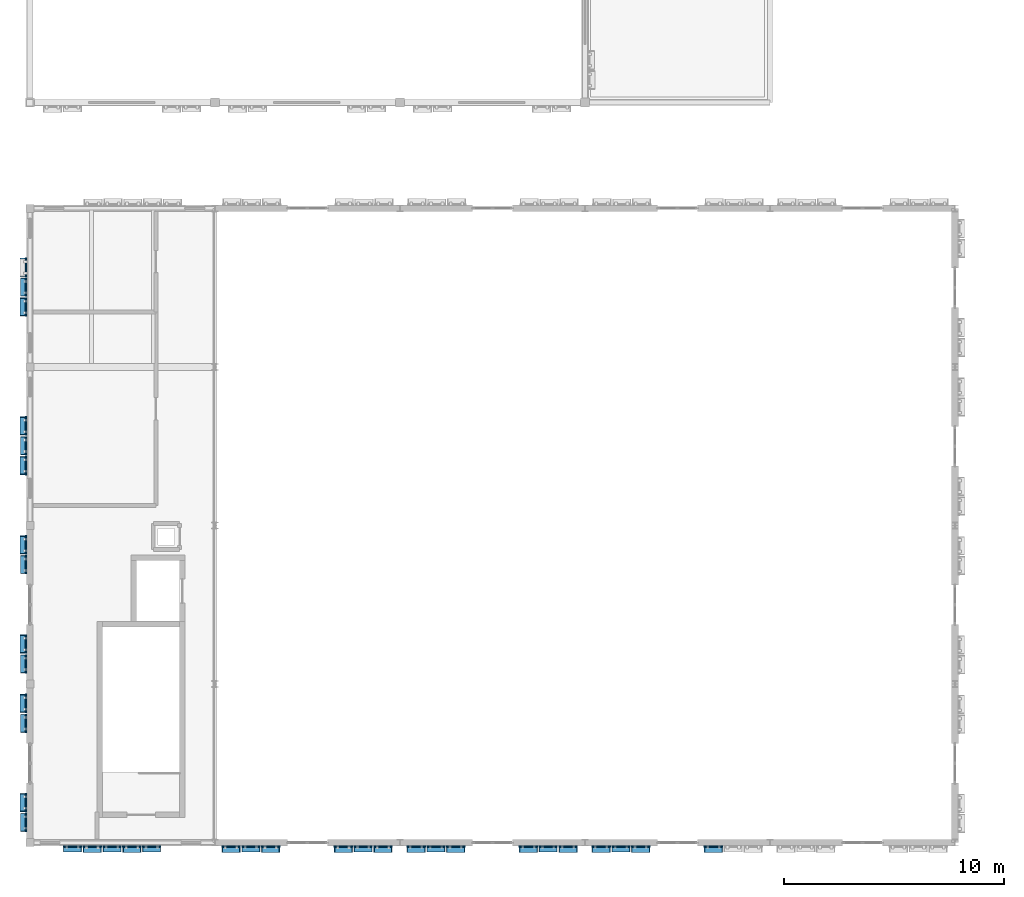
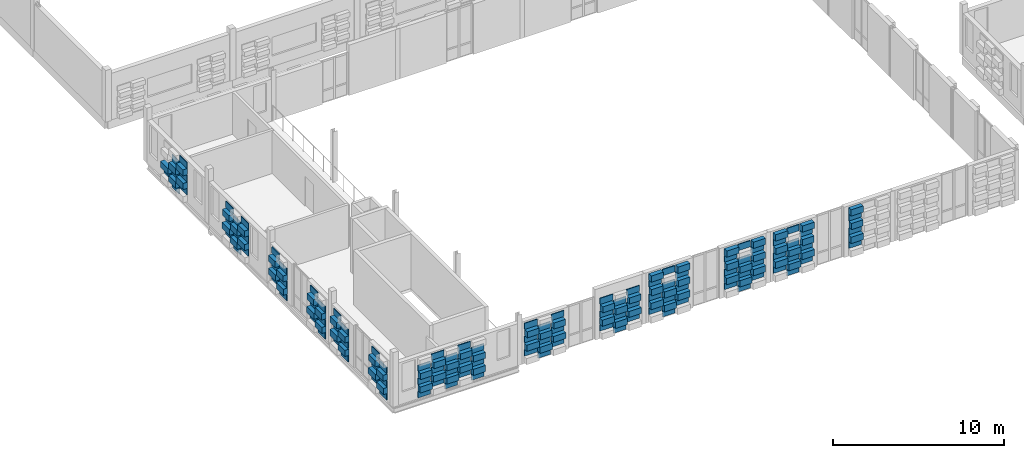
# One storey, part 27 of 57: 182 plates.
"""IFC4 building model written with IfcOpenShell, lengths in metres."""

import ifcopenshell
import ifcopenshell.guid

model = None  # the IFC model being written
_history = None  # IfcOwnerHistory: only IFC2X3 demands one
_inside = {}  # id of a spatial element -> (the spatial element, [elements in it])
_under = {}  # id of a project, library or spatial element -> (it, [spatial elements below it])
_declared = {}  # id of a project -> (the project, [libraries it declares])
_typed = {}  # id of a type object -> (the type object, [elements of that type])
_made_of = {}  # id of a material, layer set ... -> (it, [elements and type objects made of it])


def new_model(schema):
    """Start an empty IFC model of exactly this schema.

    Asked for "IFC4X3", IfcOpenShell would pick the latest addendum, in which some entities
    have other attributes; the version numbers below select the first issue.
    IFC2X3 requires an IfcOwnerHistory on every rooted entity: one is made here for all.
    """
    global model, _history
    if schema == "IFC4X3":
        model = ifcopenshell.file(schema_version=(4, 3, 0, 0))
    else:
        model = ifcopenshell.file(schema=schema)
    _inside.clear()
    _under.clear()
    _declared.clear()
    _typed.clear()
    _made_of.clear()
    _history = None
    if model.schema == "IFC2X3":
        org = make("IfcOrganization", Name="unknown")
        user = make(
            "IfcPersonAndOrganization",
            ThePerson=make("IfcPerson", FamilyName="unknown"),
            TheOrganization=org,
        )
        app = make(
            "IfcApplication",
            ApplicationDeveloper=org,
            Version="unknown",
            ApplicationFullName="unknown",
            ApplicationIdentifier="unknown",
        )
        _history = make(
            "IfcOwnerHistory",
            OwningUser=user,
            OwningApplication=app,
            ChangeAction="ADDED",
            CreationDate=0,
        )
    return model


def make(cls, **values):
    """One entity of the class cls with the attributes given. An attribute that is None is left unset."""
    return model.create_entity(
        cls, **{name: value for name, value in values.items() if value is not None}
    )


def rooted(cls, **values):
    """An entity with a GlobalId (a new one), such as an element, a storey or a relation."""
    return make(cls, GlobalId=ifcopenshell.guid.new(), OwnerHistory=_history, **values)


def si_unit(unit_type, name, prefix=None):
    """IfcSIUnit, for example si_unit("LENGTHUNIT", "METRE", prefix="MILLI")."""
    return make("IfcSIUnit", UnitType=unit_type, Prefix=prefix, Name=name)


def assignment(units):
    """IfcUnitAssignment: the units of a project."""
    return None if units is None else make("IfcUnitAssignment", Units=units)


def point(xyz):
    """IfcCartesianPoint."""
    return None if xyz is None else make("IfcCartesianPoint", Coordinates=xyz)


def direction(xyz):
    """IfcDirection."""
    return None if xyz is None else make("IfcDirection", DirectionRatios=xyz)


def frame(location, z_axis=None, x_axis=None):
    """IfcAxis2Placement3D, a coordinate frame: its origin and axes. An axis left out is left unset."""
    return make(
        "IfcAxis2Placement3D",
        Location=point(location),
        Axis=direction(z_axis),
        RefDirection=direction(x_axis),
    )


def frame_2d(location, x_axis=None):
    """IfcAxis2Placement2D, a coordinate frame in the plane: its origin and x axis."""
    return make(
        "IfcAxis2Placement2D", Location=point(location), RefDirection=direction(x_axis)
    )


def origin():
    """The frame at (0, 0, 0) with its axes left unset."""
    return frame((0.0, 0.0, 0.0))


def origin_2d():
    """The frame at (0, 0) in the plane with its x axis left unset."""
    return frame_2d((0.0, 0.0))


def place(relative_to, where):
    """IfcLocalPlacement: puts the frame where relative to a parent placement (None: the world)."""
    return make(
        "IfcLocalPlacement", PlacementRelTo=relative_to, RelativePlacement=where
    )


def context(
    kind, dimensions, precision=None, world=None, true_north=None, identifier=None
):
    """IfcGeometricRepresentationContext, for example the 3D "Model" context."""
    return make(
        "IfcGeometricRepresentationContext",
        ContextIdentifier=identifier,
        ContextType=kind,
        CoordinateSpaceDimension=dimensions,
        Precision=precision,
        WorldCoordinateSystem=world,
        TrueNorth=true_north,
    )


def subcontext(parent, identifier, kind, view, scale=None):
    """IfcGeometricRepresentationSubContext, for example "Body" below "Model"."""
    return make(
        "IfcGeometricRepresentationSubContext",
        ContextIdentifier=identifier,
        ContextType=kind,
        ParentContext=parent,
        TargetScale=scale,
        TargetView=view,
    )


def project(units=None, contexts=None):
    """IfcProject with its units and contexts."""
    return rooted(
        "IfcProject",
        Name="project",
        RepresentationContexts=contexts,
        UnitsInContext=assignment(units),
    )


def spatial(cls, under=None, at=None, **own):
    """A site, building, storey or space (cls), placed at a placement, below another one or the project."""
    s = rooted(cls, ObjectPlacement=at, **own)
    if under is not None:
        _under.setdefault(under.id(), (under, []))[1].append(s)
    return s


def profile(cls, at=None, kind="AREA", **sizes):
    """A parametric profile (cls). Its sizes go by their IFC names, for example OverallWidth=200.0."""
    return make(cls, ProfileType=kind, Position=at, **sizes)


def rectangle(**sizes):
    """IfcRectangleProfileDef."""
    return profile("IfcRectangleProfileDef", **sizes)


def extrude(swept, where, along, depth):
    """IfcExtrudedAreaSolid: the profile swept, set in the frame where, extruded along a direction by depth."""
    return make(
        "IfcExtrudedAreaSolid",
        SweptArea=swept,
        Position=where,
        ExtrudedDirection=direction(along),
        Depth=depth,
    )


def shape(context_of_items, identifier, shape_type, items):
    """IfcShapeRepresentation: the items that make up one representation, for example the "Body"."""
    return make(
        "IfcShapeRepresentation",
        ContextOfItems=context_of_items,
        RepresentationIdentifier=identifier,
        RepresentationType=shape_type,
        Items=items,
    )


def material(Name=None, Category=None):
    """IfcMaterial."""
    return make("IfcMaterial", Name=Name, Category=Category)


def layer(
    of_material, thickness, ventilated=None, Name=None, Category=None, Priority=None
):
    """IfcMaterialLayer: one layer of a wall or slab, of a material (None: an air gap)."""
    return make(
        "IfcMaterialLayer",
        Material=of_material,
        LayerThickness=thickness,
        IsVentilated=ventilated,
        Name=Name,
        Category=Category,
        Priority=Priority,
    )


def layer_set(layers, Name=None):
    """IfcMaterialLayerSet."""
    return make("IfcMaterialLayerSet", MaterialLayers=layers, LayerSetName=Name)


def made_of(thing, what):
    """Note that an element or type object is made of a material, layer set ...; save() writes the relation."""
    if what is not None:
        _made_of.setdefault(what.id(), (what, []))[1].append(thing)
    return thing


def type_object(cls, material=None, **own):
    """A type object (cls), such as IfcWallType, which elements share."""
    return made_of(rooted(cls, **own), material)


def element(
    cls,
    number,
    at=None,
    inside=None,
    cuts=None,
    type_object=None,
    material=None,
    context=None,
    identifier="Body",
    shape_type=None,
    held_by="IfcProductDefinitionShape",
    body=None,
    shapes=None,
    **own,
):
    """One element of the class cls, such as IfcWall. Its Tag is "e" and its number.

    at: its placement. inside: the storey or other place that contains it. cuts: it is an
    opening in that element (IfcRelVoidsElement). A single representation is given by context,
    identifier, shape_type and body (its items); several are given by shapes. held_by: the class
    of the entity that holds the representations. save() writes the other relations.
    """
    e = rooted(cls, Tag="e%d" % number, ObjectPlacement=at, **own)
    if body is not None:
        shapes = [shape(context, identifier, shape_type, body)]
    if shapes is not None:
        e.Representation = make(held_by, Representations=shapes)
    if inside is not None:
        _inside.setdefault(inside.id(), (inside, []))[1].append(e)
    if cuts is not None:
        rooted(
            "IfcRelVoidsElement", RelatingBuildingElement=cuts, RelatedOpeningElement=e
        )
    if type_object is not None:
        _typed.setdefault(type_object.id(), (type_object, []))[1].append(e)
    return made_of(e, material)


def aggregate(whole, parts):
    """IfcRelAggregates: a whole, such as a stair, and the parts it consists of."""
    return rooted("IfcRelAggregates", RelatingObject=whole, RelatedObjects=parts)


def save(model, path):
    """Write the relations noted so far, then the file.

    IfcRelAggregates (storeys below a building ...), IfcRelContainedInSpatialStructure (elements
    in a storey), IfcRelDefinesByType, IfcRelAssociatesMaterial and IfcRelDeclares: one each for
    every whole, place, type object, material and project.
    """
    for whole, parts in _under.values():
        aggregate(whole, parts)
    for where, things in _inside.values():
        rooted(
            "IfcRelContainedInSpatialStructure",
            RelatedElements=things,
            RelatingStructure=where,
        )
    for kind, things in _typed.values():
        rooted("IfcRelDefinesByType", RelatedObjects=things, RelatingType=kind)
    for what, things in _made_of.values():
        rooted("IfcRelAssociatesMaterial", RelatedObjects=things, RelatingMaterial=what)
    for by, libraries in _declared.values():
        rooted("IfcRelDeclares", RelatingContext=by, RelatedDefinitions=libraries)
    model.write(path)


model = new_model("IFC4")

# Units and contexts
model_context = context("Model", 3, precision=1e-05, world=origin(), true_north=direction((0.0, 1.0)))
body_context = subcontext(model_context, "Body", "Model", "MODEL_VIEW")
ifc_project = project(units=[si_unit("LENGTHUNIT", "METRE"), si_unit("AREAUNIT", "SQUARE_METRE"), si_unit("VOLUMEUNIT", "CUBIC_METRE"), si_unit("PLANEANGLEUNIT", "RADIAN"), si_unit("MASSUNIT", "GRAM", prefix="KILO")], contexts=[model_context])

# Site, building, storey
site_placement = place(None, origin())
site = spatial("IfcSite", under=ifc_project, at=site_placement, CompositionType="ELEMENT")
building_placement = place(site_placement, origin())
building = spatial("IfcBuilding", under=site, at=building_placement, Name="Kahlenmark Community Centre", CompositionType="ELEMENT")
storey_placement = place(building_placement, frame((0.0, 0.0, 13.800048828125)))
storey = spatial("IfcBuildingStorey", under=building, at=storey_placement, Name="L03", CompositionType="ELEMENT", Elevation=13.800048828125)

# Plates
ifc_material_1 = material(Name="Extruded warm terracotta recessed weave tile", Category="masonry")
ifc_layer_1 = layer(ifc_material_1, 0.06005859375)
ifc_layer_set_1 = layer_set([ifc_layer_1], Name="Extruded warm terracotta recessed weave tile")
plate_type_1 = type_object("IfcPlateType", Name="PLT-TC-TC-R10-840X60X435", PredefinedType="SHEET", material=ifc_layer_set_1)
for number, where, z_axis, x_axis, name in (
    (1, (5.929931640625, 8.6201171875, 0.099853515625), (0.0, 0.0, 1.0), (1.0, 0.0, 0.0), "Basketweave terracotta cassette 3376"),
    (2, (5.929931640625, 8.6201171875, 1.0498046875), (0.0, 0.0, 1.0), (1.0, 0.0, 0.0), "Basketweave terracotta cassette 3378"),
    (3, (5.929931640625, 8.6201171875, 2.0), (0.0, 0.0, 1.0), (1.0, 0.0, 0.0), "Basketweave terracotta cassette 3380"),
    (4, (7.72998046875, 8.6201171875, 0.099853515625), (0.0, 0.0, 1.0), (1.0, 0.0, 0.0), "Basketweave terracotta cassette 3388"),
    (5, (7.72998046875, 8.6201171875, 1.0498046875), (0.0, 0.0, 1.0), (1.0, 0.0, 0.0), "Basketweave terracotta cassette 3390"),
    (6, (7.72998046875, 8.6201171875, 2.0), (0.0, 0.0, 1.0), (1.0, 0.0, 0.0), "Basketweave terracotta cassette 3392"),
    (7, (9.530029296875, 8.6201171875, 0.099853515625), (0.0, 0.0, 1.0), (1.0, 0.0, 0.0), "Basketweave terracotta cassette 3400"),
    (8, (9.530029296875, 8.6201171875, 1.0498046875), (0.0, 0.0, 1.0), (1.0, 0.0, 0.0), "Basketweave terracotta cassette 3402"),
    (9, (9.530029296875, 8.6201171875, 2.0), (0.0, 0.0, 1.0), (1.0, 0.0, 0.0), "Basketweave terracotta cassette 3404"),
    (10, (14.030029296875, 8.6201171875, 0.099853515625), (0.0, 0.0, 1.0), (1.0, 0.0, 0.0), "Basketweave terracotta cassette 3412"),
    (11, (14.030029296875, 8.6201171875, 1.0498046875), (0.0, 0.0, 1.0), (1.0, 0.0, 0.0), "Basketweave terracotta cassette 3414"),
    (12, (14.030029296875, 8.6201171875, 2.0), (0.0, 0.0, 1.0), (1.0, 0.0, 0.0), "Basketweave terracotta cassette 3416"),
    (13, (19.1298828125, 8.6201171875, 0.099853515625), (0.0, 0.0, 1.0), (1.0, 0.0, 0.0), "Basketweave terracotta cassette 3430"),
    (14, (19.1298828125, 8.6201171875, 1.0498046875), (0.0, 0.0, 1.0), (1.0, 0.0, 0.0), "Basketweave terracotta cassette 3432"),
    (15, (19.1298828125, 8.6201171875, 2.0), (0.0, 0.0, 1.0), (1.0, 0.0, 0.0), "Basketweave terracotta cassette 3434"),
    (16, (3.820068359375, 14.219970703125, 0.099853515625), (0.0, 0.0, 1.0), (0.0, -1.0, 0.0), "Basketweave terracotta cassette 3766"),
    (17, (3.820068359375, 14.219970703125, 1.0498046875), (0.0, 0.0, 1.0), (0.0, -1.0, 0.0), "Basketweave terracotta cassette 3768"),
    (18, (3.820068359375, 14.219970703125, 2.0), (0.0, 0.0, 1.0), (0.0, -1.0, 0.0), "Basketweave terracotta cassette 3770"),
    (19, (3.820068359375, 9.719970703125, 0.099853515625), (0.0, 0.0, 1.0), (0.0, -1.0, 0.0), "Basketweave terracotta cassette 3778"),
    (20, (3.820068359375, 9.719970703125, 1.0498046875), (0.0, 0.0, 1.0), (0.0, -1.0, 0.0), "Basketweave terracotta cassette 3780"),
    (21, (3.820068359375, 9.719970703125, 2.0), (0.0, 0.0, 1.0), (0.0, -1.0, 0.0), "Basketweave terracotta cassette 3782"),
    (22, (3.820068359375, 21.419921875, 0.099853515625), (0.0, 0.0, 1.0), (0.0, -1.0, 0.0), "Basketweave terracotta cassette 3790"),
    (23, (3.820068359375, 21.419921875, 1.0498046875), (0.0, 0.0, 1.0), (0.0, -1.0, 0.0), "Basketweave terracotta cassette 3792"),
    (24, (3.820068359375, 21.419921875, 2.0), (0.0, 0.0, 1.0), (0.0, -1.0, 0.0), "Basketweave terracotta cassette 3794"),
    (25, (3.820068359375, 16.919921875, 0.099853515625), (0.0, 0.0, 1.0), (0.0, -1.0, 0.0), "Basketweave terracotta cassette 3802"),
    (26, (3.820068359375, 16.919921875, 1.0498046875), (0.0, 0.0, 1.0), (0.0, -1.0, 0.0), "Basketweave terracotta cassette 3804"),
    (27, (3.820068359375, 16.919921875, 2.0), (0.0, 0.0, 1.0), (0.0, -1.0, 0.0), "Basketweave terracotta cassette 3806"),
    (28, (3.820068359375, 26.820068359375, 0.099853515625), (0.0, 0.0, 1.0), (0.0, -1.0, 0.0), "Basketweave terracotta cassette 3814"),
    (29, (3.820068359375, 26.820068359375, 1.0498046875), (0.0, 0.0, 1.0), (0.0, -1.0, 0.0), "Basketweave terracotta cassette 3816"),
    (30, (3.820068359375, 26.820068359375, 2.0), (0.0, 0.0, 1.0), (0.0, -1.0, 0.0), "Basketweave terracotta cassette 3818"),
    (31, (3.820068359375, 34.02001953125, 0.099853515625), (0.0, 0.0, 1.0), (0.0, -1.0, 0.0), "Basketweave terracotta cassette 3832"),
    (32, (3.820068359375, 34.02001953125, 1.0498046875), (0.0, 0.0, 1.0), (0.0, -1.0, 0.0), "Basketweave terracotta cassette 3834"),
    (33, (3.820068359375, 34.02001953125, 2.0), (0.0, 0.0, 1.0), (0.0, -1.0, 0.0), "Basketweave terracotta cassette 3836"),
):
    element("IfcPlate", number, at=place(storey_placement, frame(where, z_axis=z_axis, x_axis=x_axis)), inside=storey, type_object=plate_type_1, Name=name, PredefinedType="SHEET", context=body_context, shape_type="SweptSolid", body=[
        extrude(rectangle(XDim=0.840087890625, YDim=0.06005859375, at=origin_2d()), origin(), (0.0, 0.0, 1.0), 0.43505859375),
    ])
ifc_layer_2 = layer(ifc_material_1, 0.06005859375)
ifc_layer_set_2 = layer_set([ifc_layer_2], Name="Extruded warm terracotta recessed weave tile")
plate_type_2 = type_object("IfcPlateType", Name="PLT-TC-TC-R10-840X60X450", PredefinedType="SHEET", material=ifc_layer_set_2)
for number, where, z_axis, x_axis, name in (
    (34, (22.429931640625, 8.6201171875, 0.10009765625), (0.0, 0.0, 1.0), (1.0, 0.0, 0.0), "Basketweave terracotta cassette 3449"),
    (35, (22.429931640625, 8.6201171875, 1.080078125), (0.0, 0.0, 1.0), (1.0, 0.0, 0.0), "Basketweave terracotta cassette 3451"),
    (36, (22.429931640625, 8.6201171875, 2.06005859375), (0.0, 0.0, 1.0), (1.0, 0.0, 0.0), "Basketweave terracotta cassette 3453"),
    (37, (22.429931640625, 8.6201171875, 3.0400390625), (0.0, 0.0, 1.0), (1.0, 0.0, 0.0), "Basketweave terracotta cassette 3455"),
    (38, (27.530029296875, 8.6201171875, 0.10009765625), (0.0, 0.0, 1.0), (1.0, 0.0, 0.0), "Basketweave terracotta cassette 3470"),
    (39, (27.530029296875, 8.6201171875, 1.080078125), (0.0, 0.0, 1.0), (1.0, 0.0, 0.0), "Basketweave terracotta cassette 3472"),
    (40, (27.530029296875, 8.6201171875, 2.06005859375), (0.0, 0.0, 1.0), (1.0, 0.0, 0.0), "Basketweave terracotta cassette 3474"),
    (41, (27.530029296875, 8.6201171875, 3.0400390625), (0.0, 0.0, 1.0), (1.0, 0.0, 0.0), "Basketweave terracotta cassette 3476"),
    (42, (30.830078125, 8.6201171875, 0.10009765625), (0.0, 0.0, 1.0), (1.0, 0.0, 0.0), "Basketweave terracotta cassette 3491"),
    (43, (30.830078125, 8.6201171875, 1.080078125), (0.0, 0.0, 1.0), (1.0, 0.0, 0.0), "Basketweave terracotta cassette 3493"),
    (44, (30.830078125, 8.6201171875, 2.06005859375), (0.0, 0.0, 1.0), (1.0, 0.0, 0.0), "Basketweave terracotta cassette 3495"),
    (45, (30.830078125, 8.6201171875, 3.0400390625), (0.0, 0.0, 1.0), (1.0, 0.0, 0.0), "Basketweave terracotta cassette 3497"),
):
    element("IfcPlate", number, at=place(storey_placement, frame(where, z_axis=z_axis, x_axis=x_axis)), inside=storey, type_object=plate_type_2, Name=name, PredefinedType="SHEET", context=body_context, shape_type="SweptSolid", body=[
        extrude(rectangle(XDim=0.840087890625, YDim=0.06005859375, at=origin_2d()), origin(), (0.0, 0.0, 1.0), 0.449951171875),
    ])
ifc_layer_3 = layer(ifc_material_1, 0.06005859375)
ifc_layer_set_3 = layer_set([ifc_layer_3], Name="Extruded warm terracotta recessed weave tile")
plate_type_3 = type_object("IfcPlateType", Name="PLT-TC-TC-R10-860X60X435", PredefinedType="SHEET", material=ifc_layer_set_3)
for number, where, z_axis, x_axis, name in (
    (46, (6.830078125, 8.6201171875, 0.574951171875), (0.0, 0.0, 1.0), (1.0, 0.0, 0.0), "Basketweave terracotta cassette 3383"),
    (47, (6.830078125, 8.6201171875, 1.52490234375), (0.0, 0.0, 1.0), (1.0, 0.0, 0.0), "Basketweave terracotta cassette 3385"),
    (48, (6.830078125, 8.6201171875, 2.474853515625), (0.0, 0.0, 1.0), (1.0, 0.0, 0.0), "Basketweave terracotta cassette 3387"),
    (49, (8.6298828125, 8.6201171875, 0.574951171875), (0.0, 0.0, 1.0), (1.0, 0.0, 0.0), "Basketweave terracotta cassette 3395"),
    (50, (8.6298828125, 8.6201171875, 1.52490234375), (0.0, 0.0, 1.0), (1.0, 0.0, 0.0), "Basketweave terracotta cassette 3397"),
    (51, (8.6298828125, 8.6201171875, 2.474853515625), (0.0, 0.0, 1.0), (1.0, 0.0, 0.0), "Basketweave terracotta cassette 3399"),
    (52, (13.1298828125, 8.6201171875, 0.574951171875), (0.0, 0.0, 1.0), (1.0, 0.0, 0.0), "Basketweave terracotta cassette 3407"),
    (53, (13.1298828125, 8.6201171875, 1.52490234375), (0.0, 0.0, 1.0), (1.0, 0.0, 0.0), "Basketweave terracotta cassette 3409"),
    (54, (13.1298828125, 8.6201171875, 2.474853515625), (0.0, 0.0, 1.0), (1.0, 0.0, 0.0), "Basketweave terracotta cassette 3411"),
    (55, (14.929931640625, 8.6201171875, 0.574951171875), (0.0, 0.0, 1.0), (1.0, 0.0, 0.0), "Basketweave terracotta cassette 3419"),
    (56, (14.929931640625, 8.6201171875, 1.52490234375), (0.0, 0.0, 1.0), (1.0, 0.0, 0.0), "Basketweave terracotta cassette 3421"),
    (57, (14.929931640625, 8.6201171875, 2.474853515625), (0.0, 0.0, 1.0), (1.0, 0.0, 0.0), "Basketweave terracotta cassette 3423"),
    (58, (18.22998046875, 8.6201171875, 0.574951171875), (0.0, 0.0, 1.0), (1.0, 0.0, 0.0), "Basketweave terracotta cassette 3425"),
    (59, (18.22998046875, 8.6201171875, 1.52490234375), (0.0, 0.0, 1.0), (1.0, 0.0, 0.0), "Basketweave terracotta cassette 3427"),
    (60, (18.22998046875, 8.6201171875, 2.474853515625), (0.0, 0.0, 1.0), (1.0, 0.0, 0.0), "Basketweave terracotta cassette 3429"),
    (61, (20.030029296875, 8.6201171875, 0.574951171875), (0.0, 0.0, 1.0), (1.0, 0.0, 0.0), "Basketweave terracotta cassette 3437"),
    (62, (20.030029296875, 8.6201171875, 1.52490234375), (0.0, 0.0, 1.0), (1.0, 0.0, 0.0), "Basketweave terracotta cassette 3439"),
    (63, (20.030029296875, 8.6201171875, 2.474853515625), (0.0, 0.0, 1.0), (1.0, 0.0, 0.0), "Basketweave terracotta cassette 3441"),
    (64, (3.820068359375, 15.1201171875, 0.574951171875), (0.0, 0.0, 1.0), (0.0, -1.0, 0.0), "Basketweave terracotta cassette 3761"),
    (65, (3.820068359375, 15.1201171875, 1.52490234375), (0.0, 0.0, 1.0), (0.0, -1.0, 0.0), "Basketweave terracotta cassette 3763"),
    (66, (3.820068359375, 15.1201171875, 2.474853515625), (0.0, 0.0, 1.0), (0.0, -1.0, 0.0), "Basketweave terracotta cassette 3765"),
    (67, (3.820068359375, 10.6201171875, 0.574951171875), (0.0, 0.0, 1.0), (0.0, -1.0, 0.0), "Basketweave terracotta cassette 3773"),
    (68, (3.820068359375, 10.6201171875, 1.52490234375), (0.0, 0.0, 1.0), (0.0, -1.0, 0.0), "Basketweave terracotta cassette 3775"),
    (69, (3.820068359375, 10.6201171875, 2.474853515625), (0.0, 0.0, 1.0), (0.0, -1.0, 0.0), "Basketweave terracotta cassette 3777"),
    (70, (3.820068359375, 22.320068359375, 0.574951171875), (0.0, 0.0, 1.0), (0.0, -1.0, 0.0), "Basketweave terracotta cassette 3785"),
    (71, (3.820068359375, 22.320068359375, 1.52490234375), (0.0, 0.0, 1.0), (0.0, -1.0, 0.0), "Basketweave terracotta cassette 3787"),
    (72, (3.820068359375, 22.320068359375, 2.474853515625), (0.0, 0.0, 1.0), (0.0, -1.0, 0.0), "Basketweave terracotta cassette 3789"),
    (73, (3.820068359375, 17.820068359375, 0.574951171875), (0.0, 0.0, 1.0), (0.0, -1.0, 0.0), "Basketweave terracotta cassette 3797"),
    (74, (3.820068359375, 17.820068359375, 1.52490234375), (0.0, 0.0, 1.0), (0.0, -1.0, 0.0), "Basketweave terracotta cassette 3799"),
    (75, (3.820068359375, 17.820068359375, 2.474853515625), (0.0, 0.0, 1.0), (0.0, -1.0, 0.0), "Basketweave terracotta cassette 3801"),
    (76, (3.820068359375, 27.719970703125, 0.574951171875), (0.0, 0.0, 1.0), (0.0, -1.0, 0.0), "Basketweave terracotta cassette 3809"),
    (77, (3.820068359375, 27.719970703125, 1.52490234375), (0.0, 0.0, 1.0), (0.0, -1.0, 0.0), "Basketweave terracotta cassette 3811"),
    (78, (3.820068359375, 27.719970703125, 2.474853515625), (0.0, 0.0, 1.0), (0.0, -1.0, 0.0), "Basketweave terracotta cassette 3813"),
    (79, (3.820068359375, 25.919921875, 0.574951171875), (0.0, 0.0, 1.0), (0.0, -1.0, 0.0), "Basketweave terracotta cassette 3821"),
    (80, (3.820068359375, 25.919921875, 1.52490234375), (0.0, 0.0, 1.0), (0.0, -1.0, 0.0), "Basketweave terracotta cassette 3823"),
    (81, (3.820068359375, 25.919921875, 2.474853515625), (0.0, 0.0, 1.0), (0.0, -1.0, 0.0), "Basketweave terracotta cassette 3825"),
    (82, (3.820068359375, 34.919921875, 0.574951171875), (0.0, 0.0, 1.0), (0.0, -1.0, 0.0), "Basketweave terracotta cassette 3827"),
    (83, (3.820068359375, 33.1201171875, 0.574951171875), (0.0, 0.0, 1.0), (0.0, -1.0, 0.0), "Basketweave terracotta cassette 3839"),
    (84, (3.820068359375, 33.1201171875, 1.52490234375), (0.0, 0.0, 1.0), (0.0, -1.0, 0.0), "Basketweave terracotta cassette 3841"),
    (85, (3.820068359375, 33.1201171875, 2.474853515625), (0.0, 0.0, 1.0), (0.0, -1.0, 0.0), "Basketweave terracotta cassette 3843"),
):
    element("IfcPlate", number, at=place(storey_placement, frame(where, z_axis=z_axis, x_axis=x_axis)), inside=storey, type_object=plate_type_3, Name=name, PredefinedType="SHEET", context=body_context, shape_type="SweptSolid", body=[
        extrude(rectangle(XDim=0.860107421875, YDim=0.06005859375, at=origin_2d()), origin(), (0.0, 0.0, 1.0), 0.43505859375),
    ])
ifc_layer_4 = layer(ifc_material_1, 0.06005859375)
ifc_layer_set_4 = layer_set([ifc_layer_4], Name="Extruded warm terracotta recessed weave tile")
plate_type_4 = type_object("IfcPlateType", Name="PLT-TC-TC-R10-860X60X450", PredefinedType="SHEET", material=ifc_layer_set_4)
for number, where, z_axis, x_axis, name in (
    (86, (21.530029296875, 8.6201171875, 0.58984375), (0.0, 0.0, 1.0), (1.0, 0.0, 0.0), "Basketweave terracotta cassette 3443"),
    (87, (21.530029296875, 8.6201171875, 1.56982421875), (0.0, 0.0, 1.0), (1.0, 0.0, 0.0), "Basketweave terracotta cassette 3445"),
    (88, (21.530029296875, 8.6201171875, 2.5498046875), (0.0, 0.0, 1.0), (1.0, 0.0, 0.0), "Basketweave terracotta cassette 3447"),
    (89, (23.330078125, 8.6201171875, 0.58984375), (0.0, 0.0, 1.0), (1.0, 0.0, 0.0), "Basketweave terracotta cassette 3457"),
    (90, (23.330078125, 8.6201171875, 1.56982421875), (0.0, 0.0, 1.0), (1.0, 0.0, 0.0), "Basketweave terracotta cassette 3459"),
    (91, (23.330078125, 8.6201171875, 2.5498046875), (0.0, 0.0, 1.0), (1.0, 0.0, 0.0), "Basketweave terracotta cassette 3461"),
    (92, (26.6298828125, 8.6201171875, 0.58984375), (0.0, 0.0, 1.0), (1.0, 0.0, 0.0), "Basketweave terracotta cassette 3464"),
    (93, (26.6298828125, 8.6201171875, 1.56982421875), (0.0, 0.0, 1.0), (1.0, 0.0, 0.0), "Basketweave terracotta cassette 3466"),
    (94, (26.6298828125, 8.6201171875, 2.5498046875), (0.0, 0.0, 1.0), (1.0, 0.0, 0.0), "Basketweave terracotta cassette 3468"),
    (95, (28.429931640625, 8.6201171875, 0.58984375), (0.0, 0.0, 1.0), (1.0, 0.0, 0.0), "Basketweave terracotta cassette 3478"),
    (96, (28.429931640625, 8.6201171875, 1.56982421875), (0.0, 0.0, 1.0), (1.0, 0.0, 0.0), "Basketweave terracotta cassette 3480"),
    (97, (28.429931640625, 8.6201171875, 2.5498046875), (0.0, 0.0, 1.0), (1.0, 0.0, 0.0), "Basketweave terracotta cassette 3482"),
    (98, (29.929931640625, 8.6201171875, 0.58984375), (0.0, 0.0, 1.0), (1.0, 0.0, 0.0), "Basketweave terracotta cassette 3485"),
    (99, (29.929931640625, 8.6201171875, 1.56982421875), (0.0, 0.0, 1.0), (1.0, 0.0, 0.0), "Basketweave terracotta cassette 3487"),
    (100, (29.929931640625, 8.6201171875, 2.5498046875), (0.0, 0.0, 1.0), (1.0, 0.0, 0.0), "Basketweave terracotta cassette 3489"),
    (101, (31.72998046875, 8.6201171875, 0.58984375), (0.0, 0.0, 1.0), (1.0, 0.0, 0.0), "Basketweave terracotta cassette 3499"),
    (102, (31.72998046875, 8.6201171875, 1.56982421875), (0.0, 0.0, 1.0), (1.0, 0.0, 0.0), "Basketweave terracotta cassette 3501"),
    (103, (31.72998046875, 8.6201171875, 2.5498046875), (0.0, 0.0, 1.0), (1.0, 0.0, 0.0), "Basketweave terracotta cassette 3503"),
    (104, (35.030029296875, 8.6201171875, 0.58984375), (0.0, 0.0, 1.0), (1.0, 0.0, 0.0), "Basketweave terracotta cassette 3506"),
    (105, (35.030029296875, 8.6201171875, 1.56982421875), (0.0, 0.0, 1.0), (1.0, 0.0, 0.0), "Basketweave terracotta cassette 3508"),
    (106, (35.030029296875, 8.6201171875, 2.5498046875), (0.0, 0.0, 1.0), (1.0, 0.0, 0.0), "Basketweave terracotta cassette 3510"),
):
    element("IfcPlate", number, at=place(storey_placement, frame(where, z_axis=z_axis, x_axis=x_axis)), inside=storey, type_object=plate_type_4, Name=name, PredefinedType="SHEET", context=body_context, shape_type="SweptSolid", body=[
        extrude(rectangle(XDim=0.860107421875, YDim=0.06005859375, at=origin_2d()), origin(), (0.0, 0.0, 1.0), 0.449951171875),
    ])
ifc_material_2 = material(Name="Extruded glazed terracotta weave cassette", Category="masonry")
ifc_layer_5 = layer(ifc_material_2, 0.300048828125)
ifc_layer_set_5 = layer_set([ifc_layer_5], Name="Extruded glazed terracotta weave cassette")
plate_type_5 = type_object("IfcPlateType", Name="PLT-TC-TC-R34-780X300X435", PredefinedType="SHEET", material=ifc_layer_set_5)
for number, where, z_axis, x_axis, name in (
    (107, (6.830078125, 8.5, 2.0), (0.0, 0.0, 1.0), (1.0, 0.0, 0.0), "Basketweave terracotta cassette 3386"),
    (108, (8.6298828125, 8.5, 2.0), (0.0, 0.0, 1.0), (1.0, 0.0, 0.0), "Basketweave terracotta cassette 3398"),
    (109, (13.1298828125, 8.5, 2.0), (0.0, 0.0, 1.0), (1.0, 0.0, 0.0), "Basketweave terracotta cassette 3410"),
    (110, (14.929931640625, 8.5, 2.0), (0.0, 0.0, 1.0), (1.0, 0.0, 0.0), "Basketweave terracotta cassette 3422"),
    (111, (18.22998046875, 8.5, 2.0), (0.0, 0.0, 1.0), (1.0, 0.0, 0.0), "Basketweave terracotta cassette 3428"),
    (112, (20.030029296875, 8.5, 2.0), (0.0, 0.0, 1.0), (1.0, 0.0, 0.0), "Basketweave terracotta cassette 3440"),
    (113, (3.699951171875, 15.1201171875, 2.0), (0.0, 0.0, 1.0), (0.0, -1.0, 0.0), "Basketweave terracotta cassette 3764"),
    (114, (3.699951171875, 10.6201171875, 2.0), (0.0, 0.0, 1.0), (0.0, -1.0, 0.0), "Basketweave terracotta cassette 3776"),
    (115, (3.699951171875, 22.320068359375, 2.0), (0.0, 0.0, 1.0), (0.0, -1.0, 0.0), "Basketweave terracotta cassette 3788"),
    (116, (3.699951171875, 17.820068359375, 2.0), (0.0, 0.0, 1.0), (0.0, -1.0, 0.0), "Basketweave terracotta cassette 3800"),
    (117, (3.699951171875, 27.719970703125, 2.0), (0.0, 0.0, 1.0), (0.0, -1.0, 0.0), "Basketweave terracotta cassette 3812"),
    (118, (3.699951171875, 25.919921875, 2.0), (0.0, 0.0, 1.0), (0.0, -1.0, 0.0), "Basketweave terracotta cassette 3824"),
    (119, (3.699951171875, 33.1201171875, 2.0), (0.0, 0.0, 1.0), (0.0, -1.0, 0.0), "Basketweave terracotta cassette 3842"),
):
    element("IfcPlate", number, at=place(storey_placement, frame(where, z_axis=z_axis, x_axis=x_axis)), inside=storey, type_object=plate_type_5, Name=name, PredefinedType="SHEET", context=body_context, shape_type="SweptSolid", body=[
        extrude(rectangle(XDim=0.780029296875, YDim=0.300048828125, at=origin_2d()), origin(), (0.0, 0.0, 1.0), 0.43505859375),
    ])
ifc_layer_6 = layer(ifc_material_2, 0.300048828125)
ifc_layer_set_6 = layer_set([ifc_layer_6], Name="Extruded glazed terracotta weave cassette")
plate_type_6 = type_object("IfcPlateType", Name="PLT-TC-TC-R34-780X300X450", PredefinedType="SHEET", material=ifc_layer_set_6)
for number, where, z_axis, x_axis, name in (
    (120, (21.530029296875, 8.5, 2.06005859375), (0.0, 0.0, 1.0), (1.0, 0.0, 0.0), "Basketweave terracotta cassette 3446"),
    (121, (23.330078125, 8.5, 2.06005859375), (0.0, 0.0, 1.0), (1.0, 0.0, 0.0), "Basketweave terracotta cassette 3460"),
    (122, (26.6298828125, 8.5, 2.06005859375), (0.0, 0.0, 1.0), (1.0, 0.0, 0.0), "Basketweave terracotta cassette 3467"),
    (123, (28.429931640625, 8.5, 2.06005859375), (0.0, 0.0, 1.0), (1.0, 0.0, 0.0), "Basketweave terracotta cassette 3481"),
    (124, (29.929931640625, 8.5, 2.06005859375), (0.0, 0.0, 1.0), (1.0, 0.0, 0.0), "Basketweave terracotta cassette 3488"),
    (125, (31.72998046875, 8.5, 2.06005859375), (0.0, 0.0, 1.0), (1.0, 0.0, 0.0), "Basketweave terracotta cassette 3502"),
    (126, (35.030029296875, 8.5, 2.06005859375), (0.0, 0.0, 1.0), (1.0, 0.0, 0.0), "Basketweave terracotta cassette 3509"),
):
    element("IfcPlate", number, at=place(storey_placement, frame(where, z_axis=z_axis, x_axis=x_axis)), inside=storey, type_object=plate_type_6, Name=name, PredefinedType="SHEET", context=body_context, shape_type="SweptSolid", body=[
        extrude(rectangle(XDim=0.780029296875, YDim=0.300048828125, at=origin_2d()), origin(), (0.0, 0.0, 1.0), 0.449951171875),
    ])
ifc_layer_7 = layer(ifc_material_2, 0.300048828125)
ifc_layer_set_7 = layer_set([ifc_layer_7], Name="Extruded glazed terracotta weave cassette")
plate_type_7 = type_object("IfcPlateType", Name="PLT-TC-TC-R34-820X300X450", PredefinedType="SHEET", material=ifc_layer_set_7)
for number, where, z_axis, x_axis, name in (
    (127, (21.530029296875, 8.5, 3.0400390625), (0.0, 0.0, 1.0), (1.0, 0.0, 0.0), "Basketweave terracotta cassette 3448"),
    (128, (23.330078125, 8.5, 3.0400390625), (0.0, 0.0, 1.0), (1.0, 0.0, 0.0), "Basketweave terracotta cassette 3462"),
    (129, (26.6298828125, 8.5, 3.0400390625), (0.0, 0.0, 1.0), (1.0, 0.0, 0.0), "Basketweave terracotta cassette 3469"),
    (130, (28.429931640625, 8.5, 3.0400390625), (0.0, 0.0, 1.0), (1.0, 0.0, 0.0), "Basketweave terracotta cassette 3483"),
    (131, (29.929931640625, 8.5, 3.0400390625), (0.0, 0.0, 1.0), (1.0, 0.0, 0.0), "Basketweave terracotta cassette 3490"),
    (132, (31.72998046875, 8.5, 3.0400390625), (0.0, 0.0, 1.0), (1.0, 0.0, 0.0), "Basketweave terracotta cassette 3504"),
    (133, (35.030029296875, 8.5, 3.0400390625), (0.0, 0.0, 1.0), (1.0, 0.0, 0.0), "Basketweave terracotta cassette 3511"),
):
    element("IfcPlate", number, at=place(storey_placement, frame(where, z_axis=z_axis, x_axis=x_axis)), inside=storey, type_object=plate_type_7, Name=name, PredefinedType="SHEET", context=body_context, shape_type="SweptSolid", body=[
        extrude(rectangle(XDim=0.820068359375, YDim=0.300048828125, at=origin_2d()), origin(), (0.0, 0.0, 1.0), 0.449951171875),
    ])
ifc_layer_8 = layer(ifc_material_2, 0.300048828125)
ifc_layer_set_8 = layer_set([ifc_layer_8], Name="Extruded glazed terracotta weave cassette")
plate_type_8 = type_object("IfcPlateType", Name="PLT-TC-TC-R34-840X300X435", PredefinedType="SHEET", material=ifc_layer_set_8)
for number, where, z_axis, x_axis, name in (
    (134, (6.830078125, 8.5, 1.0498046875), (0.0, 0.0, 1.0), (1.0, 0.0, 0.0), "Basketweave terracotta cassette 3384"),
    (135, (8.6298828125, 8.5, 1.0498046875), (0.0, 0.0, 1.0), (1.0, 0.0, 0.0), "Basketweave terracotta cassette 3396"),
    (136, (13.1298828125, 8.5, 1.0498046875), (0.0, 0.0, 1.0), (1.0, 0.0, 0.0), "Basketweave terracotta cassette 3408"),
    (137, (14.929931640625, 8.5, 1.0498046875), (0.0, 0.0, 1.0), (1.0, 0.0, 0.0), "Basketweave terracotta cassette 3420"),
    (138, (18.22998046875, 8.5, 1.0498046875), (0.0, 0.0, 1.0), (1.0, 0.0, 0.0), "Basketweave terracotta cassette 3426"),
    (139, (20.030029296875, 8.5, 1.0498046875), (0.0, 0.0, 1.0), (1.0, 0.0, 0.0), "Basketweave terracotta cassette 3438"),
    (140, (3.699951171875, 15.1201171875, 1.0498046875), (0.0, 0.0, 1.0), (0.0, -1.0, 0.0), "Basketweave terracotta cassette 3762"),
    (141, (3.699951171875, 10.6201171875, 1.0498046875), (0.0, 0.0, 1.0), (0.0, -1.0, 0.0), "Basketweave terracotta cassette 3774"),
    (142, (3.699951171875, 22.320068359375, 1.0498046875), (0.0, 0.0, 1.0), (0.0, -1.0, 0.0), "Basketweave terracotta cassette 3786"),
    (143, (3.699951171875, 17.820068359375, 1.0498046875), (0.0, 0.0, 1.0), (0.0, -1.0, 0.0), "Basketweave terracotta cassette 3798"),
    (144, (3.699951171875, 27.719970703125, 1.0498046875), (0.0, 0.0, 1.0), (0.0, -1.0, 0.0), "Basketweave terracotta cassette 3810"),
    (145, (3.699951171875, 25.919921875, 1.0498046875), (0.0, 0.0, 1.0), (0.0, -1.0, 0.0), "Basketweave terracotta cassette 3822"),
    (146, (3.699951171875, 34.919921875, 1.0498046875), (0.0, 0.0, 1.0), (0.0, -1.0, 0.0), "Basketweave terracotta cassette 3828"),
    (147, (3.699951171875, 33.1201171875, 1.0498046875), (0.0, 0.0, 1.0), (0.0, -1.0, 0.0), "Basketweave terracotta cassette 3840"),
):
    element("IfcPlate", number, at=place(storey_placement, frame(where, z_axis=z_axis, x_axis=x_axis)), inside=storey, type_object=plate_type_8, Name=name, PredefinedType="SHEET", context=body_context, shape_type="SweptSolid", body=[
        extrude(rectangle(XDim=0.840087890625, YDim=0.300048828125, at=origin_2d()), origin(), (0.0, 0.0, 1.0), 0.43505859375),
    ])
ifc_layer_9 = layer(ifc_material_2, 0.300048828125)
ifc_layer_set_9 = layer_set([ifc_layer_9], Name="Extruded glazed terracotta weave cassette")
plate_type_9 = type_object("IfcPlateType", Name="PLT-TC-TC-R34-840X300X450", PredefinedType="SHEET", material=ifc_layer_set_9)
for number, where, z_axis, x_axis, name in (
    (148, (21.530029296875, 8.5, 1.080078125), (0.0, 0.0, 1.0), (1.0, 0.0, 0.0), "Basketweave terracotta cassette 3444"),
    (149, (23.330078125, 8.5, 1.080078125), (0.0, 0.0, 1.0), (1.0, 0.0, 0.0), "Basketweave terracotta cassette 3458"),
    (150, (26.6298828125, 8.5, 1.080078125), (0.0, 0.0, 1.0), (1.0, 0.0, 0.0), "Basketweave terracotta cassette 3465"),
    (151, (28.429931640625, 8.5, 1.080078125), (0.0, 0.0, 1.0), (1.0, 0.0, 0.0), "Basketweave terracotta cassette 3479"),
    (152, (29.929931640625, 8.5, 1.080078125), (0.0, 0.0, 1.0), (1.0, 0.0, 0.0), "Basketweave terracotta cassette 3486"),
    (153, (31.72998046875, 8.5, 1.080078125), (0.0, 0.0, 1.0), (1.0, 0.0, 0.0), "Basketweave terracotta cassette 3500"),
    (154, (35.030029296875, 8.5, 1.080078125), (0.0, 0.0, 1.0), (1.0, 0.0, 0.0), "Basketweave terracotta cassette 3507"),
):
    element("IfcPlate", number, at=place(storey_placement, frame(where, z_axis=z_axis, x_axis=x_axis)), inside=storey, type_object=plate_type_9, Name=name, PredefinedType="SHEET", context=body_context, shape_type="SweptSolid", body=[
        extrude(rectangle(XDim=0.840087890625, YDim=0.300048828125, at=origin_2d()), origin(), (0.0, 0.0, 1.0), 0.449951171875),
    ])
ifc_layer_10 = layer(ifc_material_2, 0.280029296875)
ifc_layer_set_10 = layer_set([ifc_layer_10], Name="Extruded glazed terracotta weave cassette")
plate_type_10 = type_object("IfcPlateType", Name="PLT-TC-TC-W30-800X280X435", PredefinedType="SHEET", material=ifc_layer_set_10)
for number, where, z_axis, x_axis, name in (
    (155, (5.929931640625, 8.510009765625, 1.52490234375), (0.0, 0.0, 1.0), (1.0, 0.0, 0.0), "Basketweave terracotta cassette 3379"),
    (156, (7.72998046875, 8.510009765625, 1.52490234375), (0.0, 0.0, 1.0), (1.0, 0.0, 0.0), "Basketweave terracotta cassette 3391"),
    (157, (9.530029296875, 8.510009765625, 1.52490234375), (0.0, 0.0, 1.0), (1.0, 0.0, 0.0), "Basketweave terracotta cassette 3403"),
    (158, (14.030029296875, 8.510009765625, 1.52490234375), (0.0, 0.0, 1.0), (1.0, 0.0, 0.0), "Basketweave terracotta cassette 3415"),
    (159, (19.1298828125, 8.510009765625, 1.52490234375), (0.0, 0.0, 1.0), (1.0, 0.0, 0.0), "Basketweave terracotta cassette 3433"),
    (160, (3.7099609375, 14.219970703125, 1.52490234375), (0.0, 0.0, 1.0), (0.0, -1.0, 0.0), "Basketweave terracotta cassette 3769"),
    (161, (3.7099609375, 9.719970703125, 1.52490234375), (0.0, 0.0, 1.0), (0.0, -1.0, 0.0), "Basketweave terracotta cassette 3781"),
    (162, (3.7099609375, 21.419921875, 1.52490234375), (0.0, 0.0, 1.0), (0.0, -1.0, 0.0), "Basketweave terracotta cassette 3793"),
    (163, (3.7099609375, 16.919921875, 1.52490234375), (0.0, 0.0, 1.0), (0.0, -1.0, 0.0), "Basketweave terracotta cassette 3805"),
    (164, (3.7099609375, 26.820068359375, 1.52490234375), (0.0, 0.0, 1.0), (0.0, -1.0, 0.0), "Basketweave terracotta cassette 3817"),
    (165, (3.7099609375, 34.02001953125, 1.52490234375), (0.0, 0.0, 1.0), (0.0, -1.0, 0.0), "Basketweave terracotta cassette 3835"),
):
    element("IfcPlate", number, at=place(storey_placement, frame(where, z_axis=z_axis, x_axis=x_axis)), inside=storey, type_object=plate_type_10, Name=name, PredefinedType="SHEET", context=body_context, shape_type="SweptSolid", body=[
        extrude(rectangle(XDim=0.800048828125, YDim=0.280029296875, at=origin_2d()), origin(), (0.0, 0.0, 1.0), 0.43505859375),
    ])
ifc_layer_11 = layer(ifc_material_2, 0.280029296875)
ifc_layer_set_11 = layer_set([ifc_layer_11], Name="Extruded glazed terracotta weave cassette")
plate_type_11 = type_object("IfcPlateType", Name="PLT-TC-TC-W30-800X280X450", PredefinedType="SHEET", material=ifc_layer_set_11)
for number, where, z_axis, x_axis, name in (
    (166, (22.429931640625, 8.510009765625, 1.56982421875), (0.0, 0.0, 1.0), (1.0, 0.0, 0.0), "Basketweave terracotta cassette 3452"),
    (167, (27.530029296875, 8.510009765625, 1.56982421875), (0.0, 0.0, 1.0), (1.0, 0.0, 0.0), "Basketweave terracotta cassette 3473"),
    (168, (30.830078125, 8.510009765625, 1.56982421875), (0.0, 0.0, 1.0), (1.0, 0.0, 0.0), "Basketweave terracotta cassette 3494"),
):
    element("IfcPlate", number, at=place(storey_placement, frame(where, z_axis=z_axis, x_axis=x_axis)), inside=storey, type_object=plate_type_11, Name=name, PredefinedType="SHEET", context=body_context, shape_type="SweptSolid", body=[
        extrude(rectangle(XDim=0.800048828125, YDim=0.280029296875, at=origin_2d()), origin(), (0.0, 0.0, 1.0), 0.449951171875),
    ])
ifc_layer_12 = layer(ifc_material_2, 0.280029296875)
ifc_layer_set_12 = layer_set([ifc_layer_12], Name="Extruded glazed terracotta weave cassette")
plate_type_12 = type_object("IfcPlateType", Name="PLT-TC-TC-W30-820X280X435", PredefinedType="SHEET", material=ifc_layer_set_12)
for number, where, z_axis, x_axis, name in (
    (169, (5.929931640625, 8.510009765625, 0.574951171875), (0.0, 0.0, 1.0), (1.0, 0.0, 0.0), "Basketweave terracotta cassette 3377"),
    (170, (7.72998046875, 8.510009765625, 0.574951171875), (0.0, 0.0, 1.0), (1.0, 0.0, 0.0), "Basketweave terracotta cassette 3389"),
    (171, (9.530029296875, 8.510009765625, 0.574951171875), (0.0, 0.0, 1.0), (1.0, 0.0, 0.0), "Basketweave terracotta cassette 3401"),
    (172, (14.030029296875, 8.510009765625, 0.574951171875), (0.0, 0.0, 1.0), (1.0, 0.0, 0.0), "Basketweave terracotta cassette 3413"),
    (173, (19.1298828125, 8.510009765625, 0.574951171875), (0.0, 0.0, 1.0), (1.0, 0.0, 0.0), "Basketweave terracotta cassette 3431"),
    (174, (3.7099609375, 14.219970703125, 0.574951171875), (0.0, 0.0, 1.0), (0.0, -1.0, 0.0), "Basketweave terracotta cassette 3767"),
    (175, (3.7099609375, 9.719970703125, 0.574951171875), (0.0, 0.0, 1.0), (0.0, -1.0, 0.0), "Basketweave terracotta cassette 3779"),
    (176, (3.7099609375, 21.419921875, 0.574951171875), (0.0, 0.0, 1.0), (0.0, -1.0, 0.0), "Basketweave terracotta cassette 3791"),
    (177, (3.7099609375, 16.919921875, 0.574951171875), (0.0, 0.0, 1.0), (0.0, -1.0, 0.0), "Basketweave terracotta cassette 3803"),
    (178, (3.7099609375, 26.820068359375, 0.574951171875), (0.0, 0.0, 1.0), (0.0, -1.0, 0.0), "Basketweave terracotta cassette 3815"),
    (179, (3.7099609375, 34.02001953125, 0.574951171875), (0.0, 0.0, 1.0), (0.0, -1.0, 0.0), "Basketweave terracotta cassette 3833"),
):
    element("IfcPlate", number, at=place(storey_placement, frame(where, z_axis=z_axis, x_axis=x_axis)), inside=storey, type_object=plate_type_12, Name=name, PredefinedType="SHEET", context=body_context, shape_type="SweptSolid", body=[
        extrude(rectangle(XDim=0.820068359375, YDim=0.280029296875, at=origin_2d()), origin(), (0.0, 0.0, 1.0), 0.43505859375),
    ])
ifc_layer_13 = layer(ifc_material_2, 0.280029296875)
ifc_layer_set_13 = layer_set([ifc_layer_13], Name="Extruded glazed terracotta weave cassette")
plate_type_13 = type_object("IfcPlateType", Name="PLT-TC-TC-W30-820X280X450", PredefinedType="SHEET", material=ifc_layer_set_13)
for number, where, z_axis, x_axis, name in (
    (180, (22.429931640625, 8.510009765625, 0.58984375), (0.0, 0.0, 1.0), (1.0, 0.0, 0.0), "Basketweave terracotta cassette 3450"),
    (181, (27.530029296875, 8.510009765625, 0.58984375), (0.0, 0.0, 1.0), (1.0, 0.0, 0.0), "Basketweave terracotta cassette 3471"),
    (182, (30.830078125, 8.510009765625, 0.58984375), (0.0, 0.0, 1.0), (1.0, 0.0, 0.0), "Basketweave terracotta cassette 3492"),
):
    element("IfcPlate", number, at=place(storey_placement, frame(where, z_axis=z_axis, x_axis=x_axis)), inside=storey, type_object=plate_type_13, Name=name, PredefinedType="SHEET", context=body_context, shape_type="SweptSolid", body=[
        extrude(rectangle(XDim=0.820068359375, YDim=0.280029296875, at=origin_2d()), origin(), (0.0, 0.0, 1.0), 0.449951171875),
    ])

save(model, "model.ifc")
